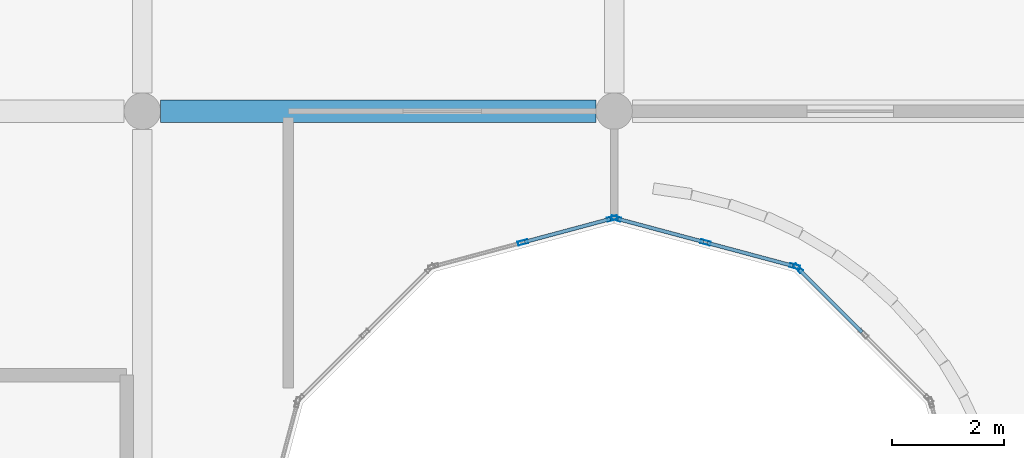
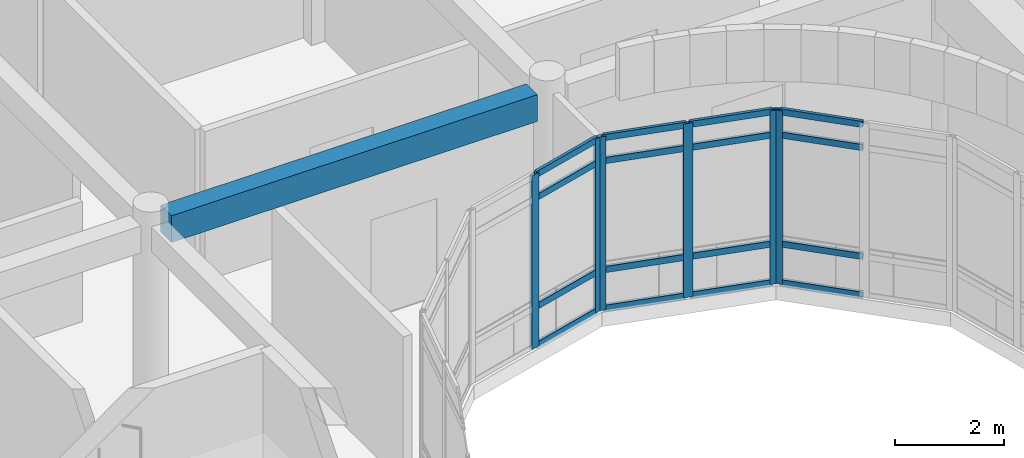
# One storey, part 41 of 119: 22 members, 1 beam, 3 elements without a shape of their own.
"""IFC4 building model written with IfcOpenShell, lengths in metres."""

from ifc_helpers import new_model, si_unit, direction, frame, origin, origin_2d, place, context, subcontext, project, spatial, rectangle, hollow_rectangle, extrude, material, layer, layer_set, material_profile, profile_set, type_object, element, aggregate, save


model = new_model("IFC4")

# Units and contexts
model_context = context("Model", 3, precision=1e-05, world=origin(), true_north=direction((0.0, 1.0)))
body_context = subcontext(model_context, "Body", "Model", "MODEL_VIEW")
ifc_project = project(units=[si_unit("LENGTHUNIT", "METRE"), si_unit("AREAUNIT", "SQUARE_METRE"), si_unit("VOLUMEUNIT", "CUBIC_METRE"), si_unit("PLANEANGLEUNIT", "RADIAN"), si_unit("MASSUNIT", "GRAM", prefix="KILO")], contexts=[model_context])

# Site, building, storey
site_placement = place(None, origin())
site = spatial("IfcSite", under=ifc_project, at=site_placement, CompositionType="ELEMENT")
building_placement = place(site_placement, origin())
building = spatial("IfcBuilding", under=site, at=building_placement, Name="Bramfleet General Hospital", CompositionType="ELEMENT")
storey_placement = place(building_placement, frame((0.0, 0.0, 14.39990234375)))
storey = spatial("IfcBuildingStorey", under=building, at=storey_placement, Name="L03", CompositionType="ELEMENT", Elevation=14.39990234375)

# Beam
ifc_material_1 = material(Name="Concrete C35/45", Category="concrete")
ifc_material_profile_1 = material_profile(ifc_material_1, rectangle(XDim=0.39990234375, YDim=0.60009765625, at=origin_2d()), Name="RC BM 600x400")
ifc_profile_set_1 = profile_set([ifc_material_profile_1], Name="Concrete C35/45")
beam_type = type_object("IfcBeamType", Name="BM-RC600", PredefinedType="BEAM", material=ifc_profile_set_1)
beam_placement = place(storey_placement, frame((109.52490234375, 75.60009765625, 3.60009765625), z_axis=(1.0, 0.0, 0.0), x_axis=(0.0, 1.0, 0.0)))
element("IfcBeam", 1, at=beam_placement, inside=storey, type_object=beam_type, Name="L03 Grid Beam X 13-09", PredefinedType="BEAM", context=body_context, shape_type="SweptSolid", body=[
    extrude(rectangle(XDim=0.39990234375, YDim=0.60009765625, at=origin_2d()), origin(), (0.0, 0.0, 1.0), 7.75),
])

# Curtain wall, member
ifc_material_2 = material(Name="Anodised aluminium and low-E triple glazing", Category="aluminium")
ifc_layer_1 = layer(ifc_material_2, 0.179931640625, Name="CWT-CW-16")
ifc_layer_set_1 = layer_set([ifc_layer_1], Name="Anodised aluminium and low-E triple glazing")
curtain_wall_type_1 = type_object("IfcCurtainWallType", Name="CWT-CW-16", PredefinedType="USERDEFINED", material=ifc_layer_set_1)
curtain_wall_1_placement = place(storey_placement, origin())
curtain_wall_1 = element("IfcCurtainWall", 2, at=curtain_wall_1_placement, inside=storey, type_object=curtain_wall_type_1, Name="L03 East Laboratory Light Court Curtain Wall 8.1", ObjectType="Stick curtain wall", PredefinedType="USERDEFINED")
ifc_material_3 = material(Name="Anodised aluminium EN AW-6060", Category="aluminium")
ifc_material_profile_2 = material_profile(ifc_material_3, hollow_rectangle(XDim=0.070068359375, YDim=0.179931640625, WallThickness=0.00390625, at=origin_2d()), Name="ALU 180x70x4.0")
ifc_profile_set_2 = profile_set([ifc_material_profile_2], Name="Anodised aluminium EN AW-6060")
member_type_1 = type_object("IfcMemberType", Name="CWM-ALU180", PredefinedType="MULLION", material=ifc_profile_set_2)
member_1_placement = place(storey_placement, frame((120.874755859375, 72.80419921875, 0.0), z_axis=(0.0, 0.0, 1.0), x_axis=(-0.707106781187, -0.707106781187, 0.0)))
member_1 = element("IfcMember", 3, at=member_1_placement, type_object=member_type_1, Name="CW-16 mullion 3", PredefinedType="MULLION", context=body_context, shape_type="SweptSolid", body=[
    extrude(hollow_rectangle(XDim=0.070068359375, YDim=0.179931640625, WallThickness=0.00390625, at=origin_2d()), origin(), (0.0, 0.0, 1.0), 3.89013671875),
])

# Curtain wall, members
ifc_layer_2 = layer(ifc_material_2, 0.179931640625, Name="CWT-CW-17")
ifc_layer_set_2 = layer_set([ifc_layer_2], Name="Anodised aluminium and low-E triple glazing")
curtain_wall_type_2 = type_object("IfcCurtainWallType", Name="CWT-CW-17", PredefinedType="USERDEFINED", material=ifc_layer_set_2)
curtain_wall_2_placement = place(storey_placement, origin())
curtain_wall_2 = element("IfcCurtainWall", 4, at=curtain_wall_2_placement, inside=storey, type_object=curtain_wall_type_2, Name="L03 East Laboratory Light Court Curtain Wall 9.1", ObjectType="Stick curtain wall", PredefinedType="USERDEFINED")
member_2_placement = place(storey_placement, frame((120.816162109375, 72.838134765625, 0.0), z_axis=(0.0, 0.0, 1.0), x_axis=(-0.258864833085, -0.965913556273, 0.0)))
member_2 = element("IfcMember", 5, at=member_2_placement, type_object=member_type_1, Name="CW-17 mullion 1", PredefinedType="MULLION", context=body_context, shape_type="SweptSolid", body=[
    extrude(hollow_rectangle(XDim=0.070068359375, YDim=0.179931640625, WallThickness=0.00390625, at=origin_2d()), origin(), (0.0, 0.0, 1.0), 3.89013671875),
])
member_3_placement = place(storey_placement, frame((119.22509765625, 73.264404296875, 0.0), z_axis=(0.0, 0.0, 1.0), x_axis=(-0.258864833085, -0.965913556273, 0.0)))
member_3 = element("IfcMember", 6, at=member_3_placement, type_object=member_type_1, Name="CW-17 mullion 2", PredefinedType="MULLION", context=body_context, shape_type="SweptSolid", body=[
    extrude(hollow_rectangle(XDim=0.070068359375, YDim=0.179931640625, WallThickness=0.00390625, at=origin_2d()), origin(), (0.0, 0.0, 1.0), 3.89013671875),
])
member_4_placement = place(storey_placement, frame((117.6337890625, 73.69091796875, 0.0), z_axis=(0.0, 0.0, 1.0), x_axis=(-0.258864833085, -0.965913556273, 0.0)))
member_4 = element("IfcMember", 7, at=member_4_placement, type_object=member_type_1, Name="CW-17 mullion 3", PredefinedType="MULLION", context=body_context, shape_type="SweptSolid", body=[
    extrude(hollow_rectangle(XDim=0.070068359375, YDim=0.179931640625, WallThickness=0.00390625, at=origin_2d()), origin(), (0.0, 0.0, 1.0), 3.89013671875),
])

ifc_layer_3 = layer(ifc_material_2, 0.179931640625, Name="CWT-CW-18")
ifc_layer_set_3 = layer_set([ifc_layer_3], Name="Anodised aluminium and low-E triple glazing")
curtain_wall_type_3 = type_object("IfcCurtainWallType", Name="CWT-CW-18", PredefinedType="USERDEFINED", material=ifc_layer_set_3)
curtain_wall_3_placement = place(storey_placement, origin())
curtain_wall_3 = element("IfcCurtainWall", 8, at=curtain_wall_3_placement, inside=storey, type_object=curtain_wall_type_3, Name="L03 East Laboratory Light Court Curtain Wall 10.1", ObjectType="Stick curtain wall", PredefinedType="USERDEFINED")
member_5_placement = place(storey_placement, frame((117.566162109375, 73.69091796875, 0.0), z_axis=(0.0, 0.0, 1.0), x_axis=(0.258864833085, -0.965913556273, 0.0)))
member_5 = element("IfcMember", 9, at=member_5_placement, type_object=member_type_1, Name="CW-18 mullion 1", PredefinedType="MULLION", context=body_context, shape_type="SweptSolid", body=[
    extrude(hollow_rectangle(XDim=0.070068359375, YDim=0.179931640625, WallThickness=0.00390625, at=origin_2d()), origin(), (0.0, 0.0, 1.0), 3.89013671875),
])
member_6_placement = place(storey_placement, frame((115.97509765625, 73.264404296875, 0.0), z_axis=(0.0, 0.0, 1.0), x_axis=(0.258864833085, -0.965913556273, 0.0)))
member_6 = element("IfcMember", 10, at=member_6_placement, type_object=member_type_1, Name="CW-18 mullion 2", PredefinedType="MULLION", context=body_context, shape_type="SweptSolid", body=[
    extrude(hollow_rectangle(XDim=0.070068359375, YDim=0.179931640625, WallThickness=0.00390625, at=origin_2d()), origin(), (0.0, 0.0, 1.0), 3.89013671875),
])

# Member
ifc_material_profile_3 = material_profile(ifc_material_3, hollow_rectangle(XDim=0.06494140625, YDim=0.139892578125, WallThickness=0.00390625, at=origin_2d()), Name="ALU 140x65x4.0")
ifc_profile_set_3 = profile_set([ifc_material_profile_3], Name="Anodised aluminium EN AW-6060")
member_type_2 = type_object("IfcMemberType", Name="CWT-ALU140", PredefinedType="USERDEFINED", material=ifc_profile_set_3)
member_7_placement = place(storey_placement, frame((122.0146484375, 71.664306640625, 0.03271484375), z_axis=(-0.707106781187, 0.707106781187, 0.0), x_axis=(-0.707106781187, -0.707106781187, 0.0)))
member_7 = element("IfcMember", 11, at=member_7_placement, type_object=member_type_2, Name="CW-16 transom 2.1", ObjectType="TRANSOM", PredefinedType="USERDEFINED", context=body_context, shape_type="SweptSolid", body=[
    extrude(hollow_rectangle(XDim=0.06494140625, YDim=0.139892578125, WallThickness=0.00390625, at=origin_2d()), origin(), (0.0, 0.0, 1.0), 1.5771484375),
])

member_8_placement = place(storey_placement, frame((122.0146484375, 71.664306640625, 0.900146484375), z_axis=(-0.707106781187, 0.707106781187, 0.0), x_axis=(-0.707106781187, -0.707106781187, 0.0)))
member_8 = element("IfcMember", 12, at=member_8_placement, type_object=member_type_2, Name="CW-16 transom 2.2", ObjectType="TRANSOM", PredefinedType="USERDEFINED", context=body_context, shape_type="SweptSolid", body=[
    extrude(hollow_rectangle(XDim=0.06494140625, YDim=0.139892578125, WallThickness=0.00390625, at=origin_2d()), origin(), (0.0, 0.0, 1.0), 1.5771484375),
])

member_9_placement = place(storey_placement, frame((122.0146484375, 71.664306640625, 3.340087890625), z_axis=(-0.707106781187, 0.707106781187, 0.0), x_axis=(-0.707106781187, -0.707106781187, 0.0)))
member_9 = element("IfcMember", 13, at=member_9_placement, type_object=member_type_2, Name="CW-16 transom 2.3", ObjectType="TRANSOM", PredefinedType="USERDEFINED", context=body_context, shape_type="SweptSolid", body=[
    extrude(hollow_rectangle(XDim=0.06494140625, YDim=0.139892578125, WallThickness=0.00390625, at=origin_2d()), origin(), (0.0, 0.0, 1.0), 1.5771484375),
])

member_10_placement = place(storey_placement, frame((122.0146484375, 71.664306640625, 3.857666015625), z_axis=(-0.707106781187, 0.707106781187, 0.0), x_axis=(-0.707106781187, -0.707106781187, 0.0)))
member_10 = element("IfcMember", 14, at=member_10_placement, type_object=member_type_2, Name="CW-16 transom 2.4", ObjectType="TRANSOM", PredefinedType="USERDEFINED", context=body_context, shape_type="SweptSolid", body=[
    extrude(hollow_rectangle(XDim=0.06494140625, YDim=0.139892578125, WallThickness=0.00390625, at=origin_2d()), origin(), (0.0, 0.0, 1.0), 1.5771484375),
])

aggregate(curtain_wall_1, [member_1, member_7, member_8, member_9, member_10])

member_11_placement = place(storey_placement, frame((120.782470703125, 72.84716796875, 0.03271484375), z_axis=(-0.965936307862, 0.25877992417, 0.0), x_axis=(-0.25877992417, -0.965936307862, 0.0)))
member_11 = element("IfcMember", 15, at=member_11_placement, type_object=member_type_2, Name="CW-17 transom 1.1", ObjectType="TRANSOM", PredefinedType="USERDEFINED", context=body_context, shape_type="SweptSolid", body=[
    extrude(hollow_rectangle(XDim=0.06494140625, YDim=0.139892578125, WallThickness=0.00390625, at=origin_2d()), origin(), (0.0, 0.0, 1.0), 1.577392578125),
])

member_12_placement = place(storey_placement, frame((120.782470703125, 72.84716796875, 0.900146484375), z_axis=(-0.965936307862, 0.25877992417, 0.0), x_axis=(-0.25877992417, -0.965936307862, 0.0)))
member_12 = element("IfcMember", 16, at=member_12_placement, type_object=member_type_2, Name="CW-17 transom 1.2", ObjectType="TRANSOM", PredefinedType="USERDEFINED", context=body_context, shape_type="SweptSolid", body=[
    extrude(hollow_rectangle(XDim=0.06494140625, YDim=0.139892578125, WallThickness=0.00390625, at=origin_2d()), origin(), (0.0, 0.0, 1.0), 1.577392578125),
])

member_13_placement = place(storey_placement, frame((120.782470703125, 72.84716796875, 3.340087890625), z_axis=(-0.965936307862, 0.25877992417, 0.0), x_axis=(-0.25877992417, -0.965936307862, 0.0)))
member_13 = element("IfcMember", 17, at=member_13_placement, type_object=member_type_2, Name="CW-17 transom 1.3", ObjectType="TRANSOM", PredefinedType="USERDEFINED", context=body_context, shape_type="SweptSolid", body=[
    extrude(hollow_rectangle(XDim=0.06494140625, YDim=0.139892578125, WallThickness=0.00390625, at=origin_2d()), origin(), (0.0, 0.0, 1.0), 1.577392578125),
])

member_14_placement = place(storey_placement, frame((120.782470703125, 72.84716796875, 3.857666015625), z_axis=(-0.965936307862, 0.25877992417, 0.0), x_axis=(-0.25877992417, -0.965936307862, 0.0)))
member_14 = element("IfcMember", 18, at=member_14_placement, type_object=member_type_2, Name="CW-17 transom 1.4", ObjectType="TRANSOM", PredefinedType="USERDEFINED", context=body_context, shape_type="SweptSolid", body=[
    extrude(hollow_rectangle(XDim=0.06494140625, YDim=0.139892578125, WallThickness=0.00390625, at=origin_2d()), origin(), (0.0, 0.0, 1.0), 1.577392578125),
])

member_15_placement = place(storey_placement, frame((119.191162109375, 73.273681640625, 0.03271484375), z_axis=(-0.965925940868, 0.258818617489, 0.0), x_axis=(-0.258818617489, -0.965925940868, 0.0)))
member_15 = element("IfcMember", 19, at=member_15_placement, type_object=member_type_2, Name="CW-17 transom 2.1", ObjectType="TRANSOM", PredefinedType="USERDEFINED", context=body_context, shape_type="SweptSolid", body=[
    extrude(hollow_rectangle(XDim=0.06494140625, YDim=0.139892578125, WallThickness=0.00390625, at=origin_2d()), origin(), (0.0, 0.0, 1.0), 1.5771484375),
])

member_16_placement = place(storey_placement, frame((119.191162109375, 73.273681640625, 0.900146484375), z_axis=(-0.965925940868, 0.258818617489, 0.0), x_axis=(-0.258818617489, -0.965925940868, 0.0)))
member_16 = element("IfcMember", 20, at=member_16_placement, type_object=member_type_2, Name="CW-17 transom 2.2", ObjectType="TRANSOM", PredefinedType="USERDEFINED", context=body_context, shape_type="SweptSolid", body=[
    extrude(hollow_rectangle(XDim=0.06494140625, YDim=0.139892578125, WallThickness=0.00390625, at=origin_2d()), origin(), (0.0, 0.0, 1.0), 1.5771484375),
])

member_17_placement = place(storey_placement, frame((119.191162109375, 73.273681640625, 3.340087890625), z_axis=(-0.965925940868, 0.258818617489, 0.0), x_axis=(-0.258818617489, -0.965925940868, 0.0)))
member_17 = element("IfcMember", 21, at=member_17_placement, type_object=member_type_2, Name="CW-17 transom 2.3", ObjectType="TRANSOM", PredefinedType="USERDEFINED", context=body_context, shape_type="SweptSolid", body=[
    extrude(hollow_rectangle(XDim=0.06494140625, YDim=0.139892578125, WallThickness=0.00390625, at=origin_2d()), origin(), (0.0, 0.0, 1.0), 1.5771484375),
])

member_18_placement = place(storey_placement, frame((119.191162109375, 73.273681640625, 3.857666015625), z_axis=(-0.965925940868, 0.258818617489, 0.0), x_axis=(-0.258818617489, -0.965925940868, 0.0)))
member_18 = element("IfcMember", 22, at=member_18_placement, type_object=member_type_2, Name="CW-17 transom 2.4", ObjectType="TRANSOM", PredefinedType="USERDEFINED", context=body_context, shape_type="SweptSolid", body=[
    extrude(hollow_rectangle(XDim=0.06494140625, YDim=0.139892578125, WallThickness=0.00390625, at=origin_2d()), origin(), (0.0, 0.0, 1.0), 1.5771484375),
])

aggregate(curtain_wall_2, [member_2, member_3, member_4, member_11, member_12, member_13, member_14, member_15, member_16, member_17, member_18])

member_19_placement = place(storey_placement, frame((117.532470703125, 73.681884765625, 0.03271484375), z_axis=(-0.965936307862, -0.25877992417, 0.0), x_axis=(0.25877992417, -0.965936307862, 0.0)))
member_19 = element("IfcMember", 23, at=member_19_placement, type_object=member_type_2, Name="CW-18 transom 1.1", ObjectType="TRANSOM", PredefinedType="USERDEFINED", context=body_context, shape_type="SweptSolid", body=[
    extrude(hollow_rectangle(XDim=0.06494140625, YDim=0.139892578125, WallThickness=0.00390625, at=origin_2d()), origin(), (0.0, 0.0, 1.0), 1.577392578125),
])

member_20_placement = place(storey_placement, frame((117.532470703125, 73.681884765625, 0.900146484375), z_axis=(-0.965936307862, -0.25877992417, 0.0), x_axis=(0.25877992417, -0.965936307862, 0.0)))
member_20 = element("IfcMember", 24, at=member_20_placement, type_object=member_type_2, Name="CW-18 transom 1.2", ObjectType="TRANSOM", PredefinedType="USERDEFINED", context=body_context, shape_type="SweptSolid", body=[
    extrude(hollow_rectangle(XDim=0.06494140625, YDim=0.139892578125, WallThickness=0.00390625, at=origin_2d()), origin(), (0.0, 0.0, 1.0), 1.577392578125),
])

member_21_placement = place(storey_placement, frame((117.532470703125, 73.681884765625, 3.340087890625), z_axis=(-0.965936307862, -0.25877992417, 0.0), x_axis=(0.25877992417, -0.965936307862, 0.0)))
member_21 = element("IfcMember", 25, at=member_21_placement, type_object=member_type_2, Name="CW-18 transom 1.3", ObjectType="TRANSOM", PredefinedType="USERDEFINED", context=body_context, shape_type="SweptSolid", body=[
    extrude(hollow_rectangle(XDim=0.06494140625, YDim=0.139892578125, WallThickness=0.00390625, at=origin_2d()), origin(), (0.0, 0.0, 1.0), 1.577392578125),
])

member_22_placement = place(storey_placement, frame((117.532470703125, 73.681884765625, 3.857666015625), z_axis=(-0.965936307862, -0.25877992417, 0.0), x_axis=(0.25877992417, -0.965936307862, 0.0)))
member_22 = element("IfcMember", 26, at=member_22_placement, type_object=member_type_2, Name="CW-18 transom 1.4", ObjectType="TRANSOM", PredefinedType="USERDEFINED", context=body_context, shape_type="SweptSolid", body=[
    extrude(hollow_rectangle(XDim=0.06494140625, YDim=0.139892578125, WallThickness=0.00390625, at=origin_2d()), origin(), (0.0, 0.0, 1.0), 1.577392578125),
])

aggregate(curtain_wall_3, [member_5, member_6, member_19, member_20, member_21, member_22])

save(model, "model.ifc")
